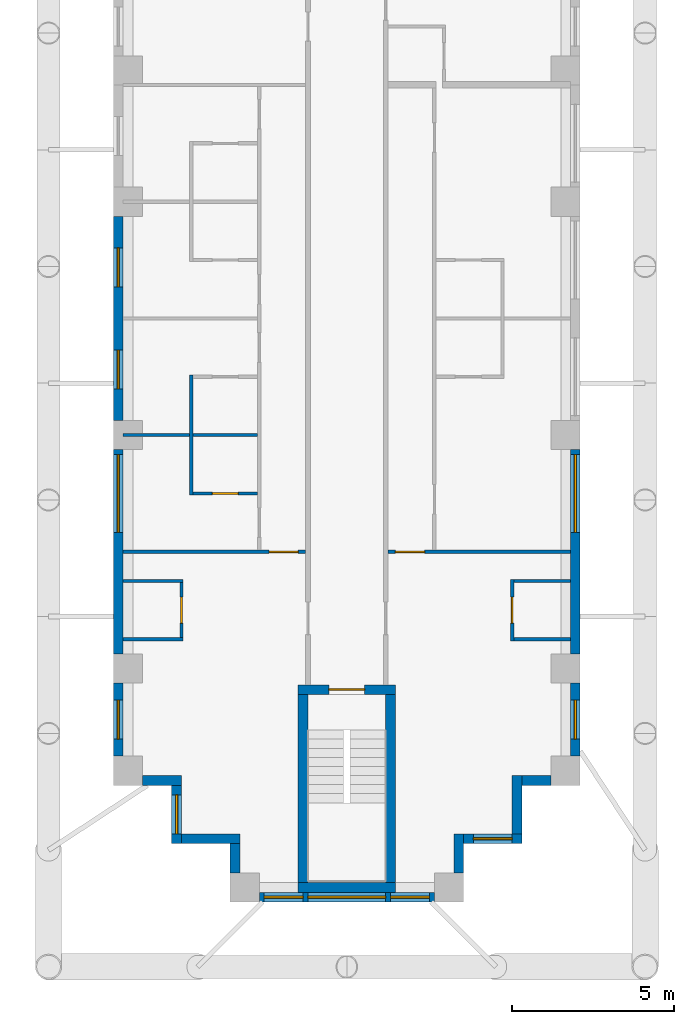
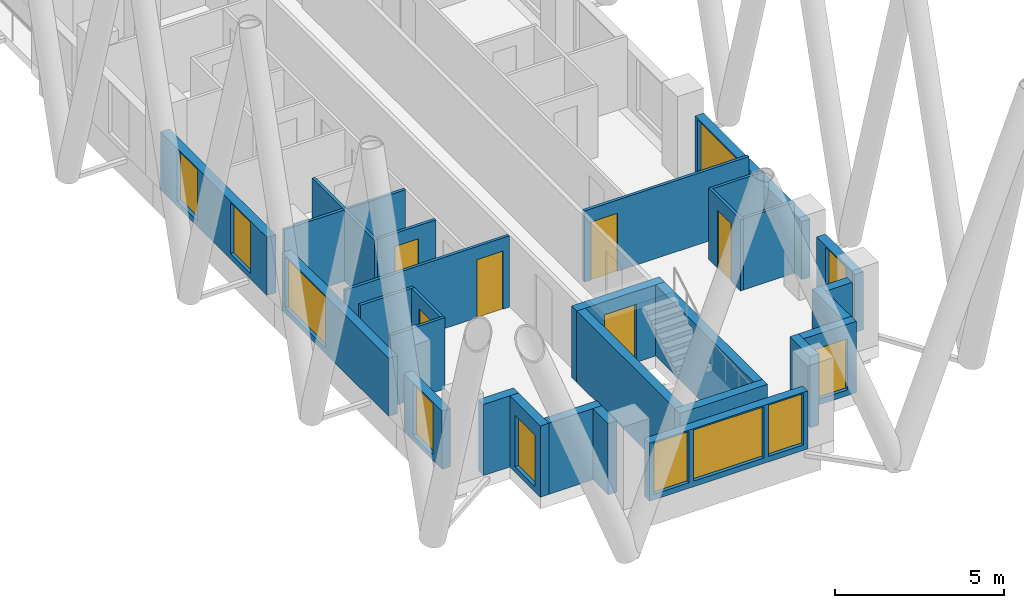
# One storey, part 3 of 14: 29 walls, 11 windows, 6 doors, 17 openings.
"""IFC4 building model written with IfcOpenShell, lengths in metres."""

from ifc_helpers import new_model, si_unit, direction, frame, frame_2d, origin, place, context, subcontext, project, spatial, rectangle, extrude, material, layer, layer_set, type_object, element, fill, save


model = new_model("IFC4")

# Units and contexts
model_context = context("Model", 3, precision=1e-05, world=origin(), true_north=direction((0.0, 1.0)))
body_context = subcontext(model_context, "Body", "Model", "MODEL_VIEW")
ifc_project = project(units=[si_unit("LENGTHUNIT", "METRE"), si_unit("AREAUNIT", "SQUARE_METRE"), si_unit("VOLUMEUNIT", "CUBIC_METRE"), si_unit("PLANEANGLEUNIT", "RADIAN"), si_unit("MASSUNIT", "GRAM", prefix="KILO")], contexts=[model_context])

# Site, building, storey
site_placement = place(None, origin())
site = spatial("IfcSite", under=ifc_project, at=site_placement, CompositionType="ELEMENT")
building_placement = place(site_placement, origin())
building = spatial("IfcBuilding", under=site, at=building_placement, Name="Fustian Cross Tower", CompositionType="ELEMENT")
storey_placement = place(building_placement, frame((0.0, 0.0, 90.89990234375)))
storey = spatial("IfcBuildingStorey", under=building, at=storey_placement, Name="L28", CompositionType="ELEMENT", Elevation=90.89990234375)

# Walls
ifc_material_1 = material(Name="Plasterboard on steel stud", Category="steel")
ifc_layer_1 = layer(ifc_material_1, 0.10009765625)
ifc_layer_set_1 = layer_set([ifc_layer_1], Name="Plasterboard on steel stud")
wall_type_1 = type_object("IfcWallType", Name="PARTITION 100 STUD", PredefinedType="PARTITIONING", material=ifc_layer_set_1)
for number, where, z_axis, x_axis, name in (
    (1, (-6.89990234375, -35.10009765625, 0.0), (0.0, 0.0, 1.0), (1.0, 0.0, 0.0), "Partition 17"),
    (2, (-6.89990234375, -33.300048828125, 0.0), (0.0, 0.0, 1.0), (1.0, 0.0, 0.0), "Partition 18"),
):
    element("IfcWall", number, at=place(storey_placement, frame(where, z_axis=z_axis, x_axis=x_axis)), inside=storey, type_object=wall_type_1, Name=name, PredefinedType="PARTITIONING", context=body_context, shape_type="SweptSolid", body=[
        extrude(rectangle(XDim=1.849853515625, YDim=0.10009765625, at=frame_2d((0.9248046875, 0.0))), origin(), (0.0, 0.0, 1.0), 2.5751953125),
    ])

# Wall, opening, door
wall_1_placement = place(storey_placement, frame((-6.89990234375, -32.39990234375, 0.0), z_axis=(0.0, 0.0, 1.0), x_axis=(1.0, 0.0, 0.0)))
wall_1 = element("IfcWall", 3, at=wall_1_placement, inside=storey, type_object=wall_type_1, Name="Partition 19", PredefinedType="PARTITIONING", context=body_context, shape_type="SweptSolid", body=[
    extrude(rectangle(XDim=5.625, YDim=0.10009765625, at=frame_2d((2.8125, 0.0))), origin(), (0.0, 0.0, 1.0), 2.5751953125),
])
opening_1_placement = place(wall_1_placement, frame((4.5, 0.0, 0.0)))
opening_1 = element("IfcOpeningElement", 4, at=opening_1_placement, cuts=wall_1, Name="Opening D13051", PredefinedType="OPENING", context=body_context, shape_type="SweptSolid", body=[
    extrude(rectangle(XDim=0.89990234375, YDim=2.10009765625, at=frame_2d((0.449951171875, 1.050048828125))), frame((0.0, 0.06005859375, 0.0), z_axis=(0.0, -1.0, 0.0), x_axis=(1.0, 0.0, 0.0)), (0.0, 0.0, 1.0), 0.1201171875),
])
ifc_material_2 = material(Name="Painted timber", Category="wood")
door_type_1 = type_object("IfcDoorType", Name="SWING DOOR 900", OperationType="SINGLE_SWING_LEFT", PredefinedType="DOOR", material=ifc_material_2)
door_1_placement = place(opening_1_placement, origin())
door_1 = element("IfcDoor", 5, at=door_1_placement, inside=storey, type_object=door_type_1, Name="Door D13051", OperationType="SINGLE_SWING_LEFT", OverallHeight=2.10009765625, OverallWidth=0.89990234375, PredefinedType="DOOR", context=body_context, shape_type="SweptSolid", body=[
    extrude(rectangle(XDim=0.89990234375, YDim=2.10009765625, at=frame_2d((0.449951171875, 1.050048828125))), frame((0.0, 0.02490234375, 0.0), z_axis=(0.0, -1.0, 0.0), x_axis=(1.0, 0.0, 0.0)), (0.0, 0.0, 1.0), 0.050048828125),
])
fill(opening_1, door_1)

# Wall
wall_2_placement = place(storey_placement, frame((-6.89990234375, -28.800048828125, 0.0), z_axis=(0.0, 0.0, 1.0), x_axis=(1.0, 0.0, 0.0)))
element("IfcWall", 6, at=wall_2_placement, inside=storey, type_object=wall_type_1, Name="Partition 20", PredefinedType="PARTITIONING", context=body_context, shape_type="SweptSolid", body=[
    extrude(rectangle(XDim=4.14990234375, YDim=0.10009765625, at=frame_2d((2.074951171875, 0.0))), origin(), (0.0, 0.0, 1.0), 2.5751953125),
])

# Wall, opening, door
wall_3_placement = place(storey_placement, frame((-5.10009765625, -35.050048828125, 0.0), z_axis=(0.0, 0.0, 1.0), x_axis=(0.0, 1.0, 0.0)))
wall_3 = element("IfcWall", 7, at=wall_3_placement, inside=storey, type_object=wall_type_1, Name="Partition 24", PredefinedType="PARTITIONING", context=body_context, shape_type="SweptSolid", body=[
    extrude(rectangle(XDim=1.699951171875, YDim=0.10009765625, at=frame_2d((0.85009765625, 0.0))), origin(), (0.0, 0.0, 1.0), 2.5751953125),
])
opening_2_placement = place(wall_3_placement, frame((0.449951171875, 0.0, 0.0)))
opening_2 = element("IfcOpeningElement", 8, at=opening_2_placement, cuts=wall_3, Name="Opening D13045", PredefinedType="OPENING", context=body_context, shape_type="SweptSolid", body=[
    extrude(rectangle(XDim=0.800048828125, YDim=2.10009765625, at=frame_2d((0.39990234375, 1.050048828125))), frame((0.0, 0.06005859375, 0.0), z_axis=(0.0, -1.0, 0.0), x_axis=(1.0, 0.0, 0.0)), (0.0, 0.0, 1.0), 0.1201171875),
])
ifc_material_3 = material(Name="Painted timber", Category="wood")
door_type_2 = type_object("IfcDoorType", Name="SWING DOOR 800", OperationType="SINGLE_SWING_LEFT", PredefinedType="DOOR", material=ifc_material_3)
door_2_placement = place(opening_2_placement, origin())
door_2 = element("IfcDoor", 9, at=door_2_placement, inside=storey, type_object=door_type_2, Name="Door D13045", OperationType="SINGLE_SWING_RIGHT", OverallHeight=2.10009765625, OverallWidth=0.800048828125, PredefinedType="DOOR", context=body_context, shape_type="SweptSolid", body=[
    extrude(rectangle(XDim=0.800048828125, YDim=2.10009765625, at=frame_2d((0.39990234375, 1.050048828125))), frame((0.0, 0.02490234375, 0.0), z_axis=(0.0, -1.0, 0.0), x_axis=(1.0, 0.0, 0.0)), (0.0, 0.0, 1.0), 0.050048828125),
])
fill(opening_2, door_2)

# Wall
wall_4_placement = place(storey_placement, frame((-4.800048828125, -30.64990234375, 0.0), z_axis=(0.0, 0.0, 1.0), x_axis=(0.0, 1.0, 0.0)))
element("IfcWall", 10, at=wall_4_placement, inside=storey, type_object=wall_type_1, Name="Partition 25", PredefinedType="PARTITIONING", context=body_context, shape_type="SweptSolid", body=[
    extrude(rectangle(XDim=3.699951171875, YDim=0.10009765625, at=frame_2d((1.85009765625, 0.0))), origin(), (0.0, 0.0, 1.0), 2.5751953125),
])

# Wall, opening, door
wall_5_placement = place(storey_placement, frame((-4.75, -30.60009765625, 0.0), z_axis=(0.0, 0.0, 1.0), x_axis=(1.0, 0.0, 0.0)))
wall_5 = element("IfcWall", 11, at=wall_5_placement, inside=storey, type_object=wall_type_1, Name="Partition 26", PredefinedType="PARTITIONING", context=body_context, shape_type="SweptSolid", body=[
    extrude(rectangle(XDim=2.0, YDim=0.10009765625, at=frame_2d((1.0, 0.0))), origin(), (0.0, 0.0, 1.0), 2.5751953125),
])
opening_3_placement = place(wall_5_placement, frame((0.60009765625, 0.0, 0.0)))
opening_3 = element("IfcOpeningElement", 12, at=opening_3_placement, cuts=wall_5, Name="Opening D13055", PredefinedType="OPENING", context=body_context, shape_type="SweptSolid", body=[
    extrude(rectangle(XDim=0.800048828125, YDim=2.10009765625, at=frame_2d((0.39990234375, 1.050048828125))), frame((0.0, 0.06005859375, 0.0), z_axis=(0.0, -1.0, 0.0), x_axis=(1.0, 0.0, 0.0)), (0.0, 0.0, 1.0), 0.1201171875),
])
door_3_placement = place(opening_3_placement, origin())
door_3 = element("IfcDoor", 13, at=door_3_placement, inside=storey, type_object=door_type_2, Name="Door D13055", OperationType="SINGLE_SWING_LEFT", OverallHeight=2.10009765625, OverallWidth=0.800048828125, PredefinedType="DOOR", context=body_context, shape_type="SweptSolid", body=[
    extrude(rectangle(XDim=0.800048828125, YDim=2.10009765625, at=frame_2d((0.39990234375, 1.050048828125))), frame((0.0, 0.02490234375, 0.0), z_axis=(0.0, -1.0, 0.0), x_axis=(1.0, 0.0, 0.0)), (0.0, 0.0, 1.0), 0.050048828125),
])
fill(opening_3, door_3)

wall_6_placement = place(storey_placement, frame((1.27490234375, -32.39990234375, 0.0), z_axis=(0.0, 0.0, 1.0), x_axis=(1.0, 0.0, 0.0)))
wall_6 = element("IfcWall", 14, at=wall_6_placement, inside=storey, type_object=wall_type_1, Name="Partition 42", PredefinedType="PARTITIONING", context=body_context, shape_type="SweptSolid", body=[
    extrude(rectangle(XDim=5.625, YDim=0.10009765625, at=frame_2d((2.8125, 0.0))), origin(), (0.0, 0.0, 1.0), 2.5751953125),
])
opening_4_placement = place(wall_6_placement, frame((0.22509765625, 0.0, 0.0)))
opening_4 = element("IfcOpeningElement", 15, at=opening_4_placement, cuts=wall_6, Name="Opening D13038", PredefinedType="OPENING", context=body_context, shape_type="SweptSolid", body=[
    extrude(rectangle(XDim=0.89990234375, YDim=2.10009765625, at=frame_2d((0.449951171875, 1.050048828125))), frame((0.0, 0.06005859375, 0.0), z_axis=(0.0, -1.0, 0.0), x_axis=(1.0, 0.0, 0.0)), (0.0, 0.0, 1.0), 0.1201171875),
])
door_4_placement = place(opening_4_placement, origin())
door_4 = element("IfcDoor", 16, at=door_4_placement, inside=storey, type_object=door_type_1, Name="Door D13038", OperationType="SINGLE_SWING_LEFT", OverallHeight=2.10009765625, OverallWidth=0.89990234375, PredefinedType="DOOR", context=body_context, shape_type="SweptSolid", body=[
    extrude(rectangle(XDim=0.89990234375, YDim=2.10009765625, at=frame_2d((0.449951171875, 1.050048828125))), frame((0.0, 0.02490234375, 0.0), z_axis=(0.0, -1.0, 0.0), x_axis=(1.0, 0.0, 0.0)), (0.0, 0.0, 1.0), 0.050048828125),
])
fill(opening_4, door_4)

wall_7_placement = place(storey_placement, frame((5.10009765625, -35.14990234375, 0.0), z_axis=(0.0, 0.0, 1.0), x_axis=(0.0, 1.0, 0.0)))
wall_7 = element("IfcWall", 17, at=wall_7_placement, inside=storey, type_object=wall_type_1, Name="Partition 66", PredefinedType="PARTITIONING", context=body_context, shape_type="SweptSolid", body=[
    extrude(rectangle(XDim=1.89990234375, YDim=0.10009765625, at=frame_2d((0.949951171875, 0.0))), origin(), (0.0, 0.0, 1.0), 2.5751953125),
])
opening_5_placement = place(wall_7_placement, frame((0.550048828125, 0.0, 0.0)))
opening_5 = element("IfcOpeningElement", 18, at=opening_5_placement, cuts=wall_7, Name="Opening D13036", PredefinedType="OPENING", context=body_context, shape_type="SweptSolid", body=[
    extrude(rectangle(XDim=0.800048828125, YDim=2.10009765625, at=frame_2d((0.39990234375, 1.050048828125))), frame((0.0, 0.06005859375, 0.0), z_axis=(0.0, -1.0, 0.0), x_axis=(1.0, 0.0, 0.0)), (0.0, 0.0, 1.0), 0.1201171875),
])
door_5_placement = place(opening_5_placement, frame((0.800048828125, 0.0, 0.0), z_axis=(0.0, 0.0, 1.0), x_axis=(-1.0, 0.0, 0.0)))
door_5 = element("IfcDoor", 19, at=door_5_placement, inside=storey, type_object=door_type_2, Name="Door D13036", OperationType="SINGLE_SWING_LEFT", OverallHeight=2.10009765625, OverallWidth=0.800048828125, PredefinedType="DOOR", context=body_context, shape_type="SweptSolid", body=[
    extrude(rectangle(XDim=0.800048828125, YDim=2.10009765625, at=frame_2d((0.39990234375, 1.050048828125))), frame((0.0, 0.02490234375, 0.0), z_axis=(0.0, -1.0, 0.0), x_axis=(1.0, 0.0, 0.0)), (0.0, 0.0, 1.0), 0.050048828125),
])
fill(opening_5, door_5)

# Walls
for number, where, z_axis, x_axis, name in (
    (20, (5.14990234375, -35.10009765625, 0.0), (0.0, 0.0, 1.0), (1.0, 0.0, 0.0), "Partition 67"),
    (21, (5.14990234375, -33.300048828125, 0.0), (0.0, 0.0, 1.0), (1.0, 0.0, 0.0), "Partition 68"),
):
    element("IfcWall", number, at=place(storey_placement, frame(where, z_axis=z_axis, x_axis=x_axis)), inside=storey, type_object=wall_type_1, Name=name, PredefinedType="PARTITIONING", context=body_context, shape_type="SweptSolid", body=[
        extrude(rectangle(XDim=1.75, YDim=0.10009765625, at=frame_2d((0.875, 0.0))), origin(), (0.0, 0.0, 1.0), 2.5751953125),
    ])

# Wall, opening, door
ifc_material_4 = material(Name="Concrete C50/60", Category="concrete")
ifc_layer_2 = layer(ifc_material_4, 0.300048828125)
ifc_layer_set_2 = layer_set([ifc_layer_2], Name="Concrete C50/60")
wall_type_2 = type_object("IfcWallType", Name="STAIR ENCLOSURE WALL 300 C50/60", PredefinedType="SHEAR", material=ifc_layer_set_2)
wall_8_placement = place(storey_placement, frame((-1.5, -36.64990234375, 0.0), z_axis=(0.0, 0.0, 1.0), x_axis=(1.0, 0.0, 0.0)))
wall_8 = element("IfcWall", 22, at=wall_8_placement, inside=storey, type_object=wall_type_2, Name="Stair enclosure wall", PredefinedType="SHEAR", context=body_context, shape_type="SweptSolid", body=[
    extrude(rectangle(XDim=3.0, YDim=0.300048828125, at=frame_2d((1.5, 0.0))), origin(), (0.0, 0.0, 1.0), 2.5751953125),
])
opening_6_placement = place(wall_8_placement, frame((0.949951171875, 0.0, 0.0)))
opening_6 = element("IfcOpeningElement", 23, at=opening_6_placement, cuts=wall_8, Name="Opening CD-11-31", PredefinedType="OPENING", context=body_context, shape_type="SweptSolid", body=[
    extrude(rectangle(XDim=1.10009765625, YDim=2.10009765625, at=frame_2d((0.550048828125, 1.050048828125))), frame((0.0, 0.159912109375, 0.0), z_axis=(0.0, -1.0, 0.0), x_axis=(1.0, 0.0, 0.0)), (0.0, 0.0, 1.0), 0.320068359375),
])
ifc_material_5 = material(Name="Steel", Category="steel")
door_type_3 = type_object("IfcDoorType", Name="FIRE DOOR FD60S 1100X2100", OperationType="SINGLE_SWING_LEFT", PredefinedType="DOOR", material=ifc_material_5)
door_6_placement = place(opening_6_placement, frame((1.10009765625, 0.0, 0.0), z_axis=(0.0, 0.0, 1.0), x_axis=(-1.0, 0.0, 0.0)))
door_6 = element("IfcDoor", 24, at=door_6_placement, inside=storey, type_object=door_type_3, Name="Core door CD-11-31", OperationType="SINGLE_SWING_RIGHT", OverallHeight=2.10009765625, OverallWidth=1.10009765625, PredefinedType="DOOR", context=body_context, shape_type="SweptSolid", body=[
    extrude(rectangle(XDim=1.10009765625, YDim=2.10009765625, at=frame_2d((0.550048828125, 1.050048828125))), frame((0.0, 0.02490234375, 0.0), z_axis=(0.0, -1.0, 0.0), x_axis=(1.0, 0.0, 0.0)), (0.0, 0.0, 1.0), 0.050048828125),
])
fill(opening_6, door_6)

# Walls
wall_9_placement = place(storey_placement, frame((-1.5, -42.75, 0.0), z_axis=(0.0, 0.0, 1.0), x_axis=(1.0, 0.0, 0.0)))
element("IfcWall", 25, at=wall_9_placement, inside=storey, type_object=wall_type_2, Name="Stair enclosure wall", PredefinedType="SHEAR", context=body_context, shape_type="SweptSolid", body=[
    extrude(rectangle(XDim=3.0, YDim=0.300048828125, at=frame_2d((1.5, 0.0))), origin(), (0.0, 0.0, 1.0), 2.5751953125),
])
for number, where, z_axis, x_axis, name in (
    (26, (-1.35009765625, -36.800048828125, 0.0), (0.0, 0.0, 1.0), (0.0, -1.0, 0.0), "Stair enclosure wall"),
    (27, (1.35009765625, -36.800048828125, 0.0), (0.0, 0.0, 1.0), (0.0, -1.0, 0.0), "Stair enclosure wall"),
):
    element("IfcWall", number, at=place(storey_placement, frame(where, z_axis=z_axis, x_axis=x_axis)), inside=storey, type_object=wall_type_2, Name=name, PredefinedType="SHEAR", context=body_context, shape_type="SweptSolid", body=[
        extrude(rectangle(XDim=5.800048828125, YDim=0.300048828125, at=frame_2d((2.89990234375, 0.0))), origin(), (0.0, 0.0, 1.0), 2.5751953125),
    ])

# Wall, openings, windows
ifc_material_6 = material(Name="Dark aluminium cladding on insulated backing wall", Category="aluminium")
ifc_layer_3 = layer(ifc_material_6, 0.300048828125)
ifc_layer_set_3 = layer_set([ifc_layer_3], Name="Dark aluminium cladding on insulated backing wall")
wall_type_3 = type_object("IfcWallType", Name="XW1 EXTERNAL WALL 300", PredefinedType="SOLIDWALL", material=ifc_layer_set_3)
wall_10_placement = place(storey_placement, frame((-7.050048828125, -22.050048828125, 0.0), z_axis=(0.0, 0.0, 1.0), x_axis=(0.0, -1.0, 0.0)))
wall_10 = element("IfcWall", 28, at=wall_10_placement, inside=storey, type_object=wall_type_3, Name="External wall", PredefinedType="SOLIDWALL", context=body_context, shape_type="SweptSolid", body=[
    extrude(rectangle(XDim=6.300048828125, YDim=0.300048828125, at=frame_2d((3.14990234375, 0.0))), origin(), (0.0, 0.0, 1.0), 2.10009765625),
])
opening_7_placement = place(wall_10_placement, frame((0.97509765625, 0.0, 0.199951171875)))
opening_7 = element("IfcOpeningElement", 29, at=opening_7_placement, cuts=wall_10, Name="Opening WN3", PredefinedType="OPENING", context=body_context, shape_type="SweptSolid", body=[
    extrude(rectangle(XDim=1.199951171875, YDim=1.85009765625, at=frame_2d((0.60009765625, 0.925048828125))), frame((0.0, 0.159912109375, 0.0), z_axis=(0.0, -1.0, 0.0), x_axis=(1.0, 0.0, 0.0)), (0.0, 0.0, 1.0), 0.320068359375),
])
opening_8_placement = place(wall_10_placement, frame((4.125, 0.0, 0.199951171875)))
opening_8 = element("IfcOpeningElement", 30, at=opening_8_placement, cuts=wall_10, Name="Opening WN3", PredefinedType="OPENING", context=body_context, shape_type="SweptSolid", body=[
    extrude(rectangle(XDim=1.199951171875, YDim=1.85009765625, at=frame_2d((0.60009765625, 0.925048828125))), frame((0.0, 0.159912109375, 0.0), z_axis=(0.0, -1.0, 0.0), x_axis=(1.0, 0.0, 0.0)), (0.0, 0.0, 1.0), 0.320068359375),
])
ifc_material_7 = material(Name="Dark anodised aluminium and double glazing", Category="aluminium")
window_type_1 = type_object("IfcWindowType", Name="WN3 WINDOW 1200X1850", PartitioningType="SINGLE_PANEL", PredefinedType="WINDOW", material=ifc_material_7)
window_1_placement = place(opening_7_placement, origin())
window_1 = element("IfcWindow", 31, at=window_1_placement, inside=storey, type_object=window_type_1, Name="Window", OverallHeight=1.85009765625, OverallWidth=1.199951171875, PartitioningType="SINGLE_PANEL", PredefinedType="WINDOW", context=body_context, shape_type="SweptSolid", body=[
    extrude(rectangle(XDim=1.199951171875, YDim=1.85009765625, at=frame_2d((0.60009765625, 0.925048828125))), frame((0.0, 0.030029296875, 0.0), z_axis=(0.0, -1.0, 0.0), x_axis=(1.0, 0.0, 0.0)), (0.0, 0.0, 1.0), 0.06005859375),
])
fill(opening_7, window_1)
window_2_placement = place(opening_8_placement, origin())
window_2 = element("IfcWindow", 32, at=window_2_placement, inside=storey, type_object=window_type_1, Name="Window", OverallHeight=1.85009765625, OverallWidth=1.199951171875, PartitioningType="SINGLE_PANEL", PredefinedType="WINDOW", context=body_context, shape_type="SweptSolid", body=[
    extrude(rectangle(XDim=1.199951171875, YDim=1.85009765625, at=frame_2d((0.60009765625, 0.925048828125))), frame((0.0, 0.030029296875, 0.0), z_axis=(0.0, -1.0, 0.0), x_axis=(1.0, 0.0, 0.0)), (0.0, 0.0, 1.0), 0.06005859375),
])
fill(opening_8, window_2)

# Wall, opening, window
wall_11_placement = place(storey_placement, frame((-7.050048828125, -29.25, 0.0), z_axis=(0.0, 0.0, 1.0), x_axis=(0.0, -1.0, 0.0)))
wall_11 = element("IfcWall", 33, at=wall_11_placement, inside=storey, type_object=wall_type_3, Name="External wall", PredefinedType="SOLIDWALL", context=body_context, shape_type="SweptSolid", body=[
    extrude(rectangle(XDim=6.300048828125, YDim=0.300048828125, at=frame_2d((3.14990234375, 0.0))), origin(), (0.0, 0.0, 1.0), 2.10009765625),
])
opening_9_placement = place(wall_11_placement, frame((0.14990234375, 0.0, 0.199951171875)))
opening_9 = element("IfcOpeningElement", 34, at=opening_9_placement, cuts=wall_11, Name="Opening WN1", PredefinedType="OPENING", context=body_context, shape_type="SweptSolid", body=[
    extrude(rectangle(XDim=2.39990234375, YDim=1.85009765625, at=frame_2d((1.199951171875, 0.925048828125))), frame((0.0, 0.159912109375, 0.0), z_axis=(0.0, -1.0, 0.0), x_axis=(1.0, 0.0, 0.0)), (0.0, 0.0, 1.0), 0.320068359375),
])
ifc_material_8 = material(Name="Dark anodised aluminium and double glazing", Category="aluminium")
window_type_2 = type_object("IfcWindowType", Name="WN1 WINDOW 2400X1850", PartitioningType="SINGLE_PANEL", PredefinedType="WINDOW", material=ifc_material_8)
window_3_placement = place(opening_9_placement, origin())
window_3 = element("IfcWindow", 35, at=window_3_placement, inside=storey, type_object=window_type_2, Name="Window", OverallHeight=1.85009765625, OverallWidth=2.39990234375, PartitioningType="SINGLE_PANEL", PredefinedType="WINDOW", context=body_context, shape_type="SweptSolid", body=[
    extrude(rectangle(XDim=2.39990234375, YDim=1.85009765625, at=frame_2d((1.199951171875, 0.925048828125))), frame((0.0, 0.030029296875, 0.0), z_axis=(0.0, -1.0, 0.0), x_axis=(1.0, 0.0, 0.0)), (0.0, 0.0, 1.0), 0.06005859375),
])
fill(opening_9, window_3)

wall_12_placement = place(storey_placement, frame((-7.050048828125, -36.449951171875, 0.0), z_axis=(0.0, 0.0, 1.0), x_axis=(0.0, -1.0, 0.0)))
wall_12 = element("IfcWall", 36, at=wall_12_placement, inside=storey, type_object=wall_type_3, Name="External wall", PredefinedType="SOLIDWALL", context=body_context, shape_type="SweptSolid", body=[
    extrude(rectangle(XDim=2.25, YDim=0.300048828125, at=frame_2d((1.125, 0.0))), origin(), (0.0, 0.0, 1.0), 2.10009765625),
])
opening_10_placement = place(wall_12_placement, frame((0.52490234375, 0.0, 0.199951171875)))
opening_10 = element("IfcOpeningElement", 37, at=opening_10_placement, cuts=wall_12, Name="Opening WN3", PredefinedType="OPENING", context=body_context, shape_type="SweptSolid", body=[
    extrude(rectangle(XDim=1.199951171875, YDim=1.85009765625, at=frame_2d((0.60009765625, 0.925048828125))), frame((0.0, 0.159912109375, 0.0), z_axis=(0.0, -1.0, 0.0), x_axis=(1.0, 0.0, 0.0)), (0.0, 0.0, 1.0), 0.320068359375),
])
window_4_placement = place(opening_10_placement, origin())
window_4 = element("IfcWindow", 38, at=window_4_placement, inside=storey, type_object=window_type_1, Name="Window", OverallHeight=1.85009765625, OverallWidth=1.199951171875, PartitioningType="SINGLE_PANEL", PredefinedType="WINDOW", context=body_context, shape_type="SweptSolid", body=[
    extrude(rectangle(XDim=1.199951171875, YDim=1.85009765625, at=frame_2d((0.60009765625, 0.925048828125))), frame((0.0, 0.030029296875, 0.0), z_axis=(0.0, -1.0, 0.0), x_axis=(1.0, 0.0, 0.0)), (0.0, 0.0, 1.0), 0.06005859375),
])
fill(opening_10, window_4)

# Wall
wall_13_placement = place(storey_placement, frame((-6.300048828125, -39.449951171875, 0.0), z_axis=(0.0, 0.0, 1.0), x_axis=(1.0, 0.0, 0.0)))
element("IfcWall", 39, at=wall_13_placement, inside=storey, type_object=wall_type_3, Name="External wall", PredefinedType="SOLIDWALL", context=body_context, shape_type="SweptSolid", body=[
    extrude(rectangle(XDim=1.199951171875, YDim=0.300048828125, at=frame_2d((0.60009765625, 0.0))), origin(), (0.0, 0.0, 1.0), 2.5751953125),
])

# Wall, opening, window
wall_14_placement = place(storey_placement, frame((-5.25, -39.60009765625, 0.0), z_axis=(0.0, 0.0, 1.0), x_axis=(0.0, -1.0, 0.0)))
wall_14 = element("IfcWall", 40, at=wall_14_placement, inside=storey, type_object=wall_type_3, Name="External wall", PredefinedType="SOLIDWALL", context=body_context, shape_type="SweptSolid", body=[
    extrude(rectangle(XDim=1.7998046875, YDim=0.300048828125, at=frame_2d((0.89990234375, 0.0))), origin(), (0.0, 0.0, 1.0), 2.5751953125),
])
opening_11_placement = place(wall_14_placement, frame((0.300048828125, 0.0, 0.199951171875)))
opening_11 = element("IfcOpeningElement", 41, at=opening_11_placement, cuts=wall_14, Name="Opening WN3", PredefinedType="OPENING", context=body_context, shape_type="SweptSolid", body=[
    extrude(rectangle(XDim=1.199951171875, YDim=1.85009765625, at=frame_2d((0.60009765625, 0.925048828125))), frame((0.0, 0.159912109375, 0.0), z_axis=(0.0, -1.0, 0.0), x_axis=(1.0, 0.0, 0.0)), (0.0, 0.0, 1.0), 0.320068359375),
])
window_5_placement = place(opening_11_placement, origin())
window_5 = element("IfcWindow", 42, at=window_5_placement, inside=storey, type_object=window_type_1, Name="Window", OverallHeight=1.85009765625, OverallWidth=1.199951171875, PartitioningType="SINGLE_PANEL", PredefinedType="WINDOW", context=body_context, shape_type="SweptSolid", body=[
    extrude(rectangle(XDim=1.199951171875, YDim=1.85009765625, at=frame_2d((0.60009765625, 0.925048828125))), frame((0.0, 0.030029296875, 0.0), z_axis=(0.0, -1.0, 0.0), x_axis=(1.0, 0.0, 0.0)), (0.0, 0.0, 1.0), 0.06005859375),
])
fill(opening_11, window_5)

# Walls
wall_15_placement = place(storey_placement, frame((-5.10009765625, -41.25, 0.0), z_axis=(0.0, 0.0, 1.0), x_axis=(1.0, 0.0, 0.0)))
element("IfcWall", 43, at=wall_15_placement, inside=storey, type_object=wall_type_3, Name="External wall", PredefinedType="SOLIDWALL", context=body_context, shape_type="SweptSolid", body=[
    extrude(rectangle(XDim=1.800048828125, YDim=0.300048828125, at=frame_2d((0.89990234375, 0.0))), origin(), (0.0, 0.0, 1.0), 2.5751953125),
])
wall_16_placement = place(storey_placement, frame((-3.449951171875, -41.39990234375, 0.0), z_axis=(0.0, 0.0, 1.0), x_axis=(0.0, -1.0, 0.0)))
element("IfcWall", 44, at=wall_16_placement, inside=storey, type_object=wall_type_3, Name="External wall", PredefinedType="SOLIDWALL", context=body_context, shape_type="SweptSolid", body=[
    extrude(rectangle(XDim=0.900146484375, YDim=0.300048828125, at=frame_2d((0.4501953125, 0.0))), origin(), (0.0, 0.0, 1.0), 2.5751953125),
])

# Wall, openings, windows
wall_17_placement = place(storey_placement, frame((-2.699951171875, -43.050048828125, 0.0), z_axis=(0.0, 0.0, 1.0), x_axis=(1.0, 0.0, 0.0)))
wall_17 = element("IfcWall", 45, at=wall_17_placement, inside=storey, type_object=wall_type_3, Name="External wall", PredefinedType="SOLIDWALL", context=body_context, shape_type="SweptSolid", body=[
    extrude(rectangle(XDim=5.39990234375, YDim=0.300048828125, at=frame_2d((2.699951171875, 0.0))), origin(), (0.0, 0.0, 1.0), 2.10009765625),
])
opening_12_placement = place(wall_17_placement, frame((1.5, 0.0, 0.199951171875)))
opening_12 = element("IfcOpeningElement", 46, at=opening_12_placement, cuts=wall_17, Name="Opening WN1", PredefinedType="OPENING", context=body_context, shape_type="SweptSolid", body=[
    extrude(rectangle(XDim=2.39990234375, YDim=1.85009765625, at=frame_2d((1.199951171875, 0.925048828125))), frame((0.0, 0.159912109375, 0.0), z_axis=(0.0, -1.0, 0.0), x_axis=(1.0, 0.0, 0.0)), (0.0, 0.0, 1.0), 0.320068359375),
])
opening_13_placement = place(wall_17_placement, frame((0.14990234375, 0.0, 0.199951171875)))
opening_13 = element("IfcOpeningElement", 47, at=opening_13_placement, cuts=wall_17, Name="Opening WN3", PredefinedType="OPENING", context=body_context, shape_type="SweptSolid", body=[
    extrude(rectangle(XDim=1.199951171875, YDim=1.85009765625, at=frame_2d((0.60009765625, 0.925048828125))), frame((0.0, 0.159912109375, 0.0), z_axis=(0.0, -1.0, 0.0), x_axis=(1.0, 0.0, 0.0)), (0.0, 0.0, 1.0), 0.320068359375),
])
opening_14_placement = place(wall_17_placement, frame((4.050048828125, 0.0, 0.199951171875)))
opening_14 = element("IfcOpeningElement", 48, at=opening_14_placement, cuts=wall_17, Name="Opening WN3", PredefinedType="OPENING", context=body_context, shape_type="SweptSolid", body=[
    extrude(rectangle(XDim=1.199951171875, YDim=1.85009765625, at=frame_2d((0.60009765625, 0.925048828125))), frame((0.0, 0.159912109375, 0.0), z_axis=(0.0, -1.0, 0.0), x_axis=(1.0, 0.0, 0.0)), (0.0, 0.0, 1.0), 0.320068359375),
])
window_6_placement = place(opening_12_placement, origin())
window_6 = element("IfcWindow", 49, at=window_6_placement, inside=storey, type_object=window_type_2, Name="Window", OverallHeight=1.85009765625, OverallWidth=2.39990234375, PartitioningType="SINGLE_PANEL", PredefinedType="WINDOW", context=body_context, shape_type="SweptSolid", body=[
    extrude(rectangle(XDim=2.39990234375, YDim=1.85009765625, at=frame_2d((1.199951171875, 0.925048828125))), frame((0.0, 0.030029296875, 0.0), z_axis=(0.0, -1.0, 0.0), x_axis=(1.0, 0.0, 0.0)), (0.0, 0.0, 1.0), 0.06005859375),
])
fill(opening_12, window_6)
window_7_placement = place(opening_13_placement, origin())
window_7 = element("IfcWindow", 50, at=window_7_placement, inside=storey, type_object=window_type_1, Name="Window", OverallHeight=1.85009765625, OverallWidth=1.199951171875, PartitioningType="SINGLE_PANEL", PredefinedType="WINDOW", context=body_context, shape_type="SweptSolid", body=[
    extrude(rectangle(XDim=1.199951171875, YDim=1.85009765625, at=frame_2d((0.60009765625, 0.925048828125))), frame((0.0, 0.030029296875, 0.0), z_axis=(0.0, -1.0, 0.0), x_axis=(1.0, 0.0, 0.0)), (0.0, 0.0, 1.0), 0.06005859375),
])
fill(opening_13, window_7)
window_8_placement = place(opening_14_placement, origin())
window_8 = element("IfcWindow", 51, at=window_8_placement, inside=storey, type_object=window_type_1, Name="Window", OverallHeight=1.85009765625, OverallWidth=1.199951171875, PartitioningType="SINGLE_PANEL", PredefinedType="WINDOW", context=body_context, shape_type="SweptSolid", body=[
    extrude(rectangle(XDim=1.199951171875, YDim=1.85009765625, at=frame_2d((0.60009765625, 0.925048828125))), frame((0.0, 0.030029296875, 0.0), z_axis=(0.0, -1.0, 0.0), x_axis=(1.0, 0.0, 0.0)), (0.0, 0.0, 1.0), 0.06005859375),
])
fill(opening_14, window_8)

# Wall
wall_18_placement = place(storey_placement, frame((3.449951171875, -42.300048828125, 0.0), z_axis=(0.0, 0.0, 1.0), x_axis=(0.0, 1.0, 0.0)))
element("IfcWall", 52, at=wall_18_placement, inside=storey, type_object=wall_type_3, Name="External wall", PredefinedType="SOLIDWALL", context=body_context, shape_type="SweptSolid", body=[
    extrude(rectangle(XDim=1.199951171875, YDim=0.300048828125, at=frame_2d((0.60009765625, 0.0))), origin(), (0.0, 0.0, 1.0), 2.5751953125),
])

# Wall, opening, window
wall_19_placement = place(storey_placement, frame((3.60009765625, -41.25, 0.0), z_axis=(0.0, 0.0, 1.0), x_axis=(1.0, 0.0, 0.0)))
wall_19 = element("IfcWall", 53, at=wall_19_placement, inside=storey, type_object=wall_type_3, Name="External wall", PredefinedType="SOLIDWALL", context=body_context, shape_type="SweptSolid", body=[
    extrude(rectangle(XDim=1.7998046875, YDim=0.300048828125, at=frame_2d((0.89990234375, 0.0))), origin(), (0.0, 0.0, 1.0), 2.5751953125),
])
opening_15_placement = place(wall_19_placement, frame((0.300048828125, 0.0, 0.199951171875)))
opening_15 = element("IfcOpeningElement", 54, at=opening_15_placement, cuts=wall_19, Name="Opening WN3", PredefinedType="OPENING", context=body_context, shape_type="SweptSolid", body=[
    extrude(rectangle(XDim=1.199951171875, YDim=1.85009765625, at=frame_2d((0.60009765625, 0.925048828125))), frame((0.0, 0.159912109375, 0.0), z_axis=(0.0, -1.0, 0.0), x_axis=(1.0, 0.0, 0.0)), (0.0, 0.0, 1.0), 0.320068359375),
])
window_9_placement = place(opening_15_placement, origin())
window_9 = element("IfcWindow", 55, at=window_9_placement, inside=storey, type_object=window_type_1, Name="Window", OverallHeight=1.85009765625, OverallWidth=1.199951171875, PartitioningType="SINGLE_PANEL", PredefinedType="WINDOW", context=body_context, shape_type="SweptSolid", body=[
    extrude(rectangle(XDim=1.199951171875, YDim=1.85009765625, at=frame_2d((0.60009765625, 0.925048828125))), frame((0.0, 0.030029296875, 0.0), z_axis=(0.0, -1.0, 0.0), x_axis=(1.0, 0.0, 0.0)), (0.0, 0.0, 1.0), 0.06005859375),
])
fill(opening_15, window_9)

# Walls
wall_20_placement = place(storey_placement, frame((5.25, -41.10009765625, 0.0), z_axis=(0.0, 0.0, 1.0), x_axis=(0.0, 1.0, 0.0)))
element("IfcWall", 56, at=wall_20_placement, inside=storey, type_object=wall_type_3, Name="External wall", PredefinedType="SOLIDWALL", context=body_context, shape_type="SweptSolid", body=[
    extrude(rectangle(XDim=1.800048828125, YDim=0.300048828125, at=frame_2d((0.89990234375, 0.0))), origin(), (0.0, 0.0, 1.0), 2.5751953125),
])
wall_21_placement = place(storey_placement, frame((5.39990234375, -39.449951171875, 0.0), z_axis=(0.0, 0.0, 1.0), x_axis=(1.0, 0.0, 0.0)))
element("IfcWall", 57, at=wall_21_placement, inside=storey, type_object=wall_type_3, Name="External wall", PredefinedType="SOLIDWALL", context=body_context, shape_type="SweptSolid", body=[
    extrude(rectangle(XDim=0.900146484375, YDim=0.300048828125, at=frame_2d((0.4501953125, 0.0))), origin(), (0.0, 0.0, 1.0), 2.5751953125),
])

# Wall, opening, window
wall_22_placement = place(storey_placement, frame((7.050048828125, -38.699951171875, 0.0), z_axis=(0.0, 0.0, 1.0), x_axis=(0.0, 1.0, 0.0)))
wall_22 = element("IfcWall", 58, at=wall_22_placement, inside=storey, type_object=wall_type_3, Name="External wall", PredefinedType="SOLIDWALL", context=body_context, shape_type="SweptSolid", body=[
    extrude(rectangle(XDim=2.25, YDim=0.300048828125, at=frame_2d((1.125, 0.0))), origin(), (0.0, 0.0, 1.0), 2.10009765625),
])
opening_16_placement = place(wall_22_placement, frame((0.52490234375, 0.0, 0.199951171875)))
opening_16 = element("IfcOpeningElement", 59, at=opening_16_placement, cuts=wall_22, Name="Opening WN3", PredefinedType="OPENING", context=body_context, shape_type="SweptSolid", body=[
    extrude(rectangle(XDim=1.199951171875, YDim=1.85009765625, at=frame_2d((0.60009765625, 0.925048828125))), frame((0.0, 0.159912109375, 0.0), z_axis=(0.0, -1.0, 0.0), x_axis=(1.0, 0.0, 0.0)), (0.0, 0.0, 1.0), 0.320068359375),
])
window_10_placement = place(opening_16_placement, origin())
window_10 = element("IfcWindow", 60, at=window_10_placement, inside=storey, type_object=window_type_1, Name="Window", OverallHeight=1.85009765625, OverallWidth=1.199951171875, PartitioningType="SINGLE_PANEL", PredefinedType="WINDOW", context=body_context, shape_type="SweptSolid", body=[
    extrude(rectangle(XDim=1.199951171875, YDim=1.85009765625, at=frame_2d((0.60009765625, 0.925048828125))), frame((0.0, 0.030029296875, 0.0), z_axis=(0.0, -1.0, 0.0), x_axis=(1.0, 0.0, 0.0)), (0.0, 0.0, 1.0), 0.06005859375),
])
fill(opening_16, window_10)

wall_23_placement = place(storey_placement, frame((7.050048828125, -35.550048828125, 0.0), z_axis=(0.0, 0.0, 1.0), x_axis=(0.0, 1.0, 0.0)))
wall_23 = element("IfcWall", 61, at=wall_23_placement, inside=storey, type_object=wall_type_3, Name="External wall", PredefinedType="SOLIDWALL", context=body_context, shape_type="SweptSolid", body=[
    extrude(rectangle(XDim=6.300048828125, YDim=0.300048828125, at=frame_2d((3.14990234375, 0.0))), origin(), (0.0, 0.0, 1.0), 2.10009765625),
])
opening_17_placement = place(wall_23_placement, frame((3.75, 0.0, 0.199951171875)))
opening_17 = element("IfcOpeningElement", 62, at=opening_17_placement, cuts=wall_23, Name="Opening WN1", PredefinedType="OPENING", context=body_context, shape_type="SweptSolid", body=[
    extrude(rectangle(XDim=2.39990234375, YDim=1.85009765625, at=frame_2d((1.199951171875, 0.925048828125))), frame((0.0, 0.159912109375, 0.0), z_axis=(0.0, -1.0, 0.0), x_axis=(1.0, 0.0, 0.0)), (0.0, 0.0, 1.0), 0.320068359375),
])
window_11_placement = place(opening_17_placement, origin())
window_11 = element("IfcWindow", 63, at=window_11_placement, inside=storey, type_object=window_type_2, Name="Window", OverallHeight=1.85009765625, OverallWidth=2.39990234375, PartitioningType="SINGLE_PANEL", PredefinedType="WINDOW", context=body_context, shape_type="SweptSolid", body=[
    extrude(rectangle(XDim=2.39990234375, YDim=1.85009765625, at=frame_2d((1.199951171875, 0.925048828125))), frame((0.0, 0.030029296875, 0.0), z_axis=(0.0, -1.0, 0.0), x_axis=(1.0, 0.0, 0.0)), (0.0, 0.0, 1.0), 0.06005859375),
])
fill(opening_17, window_11)

save(model, "model.ifc")
